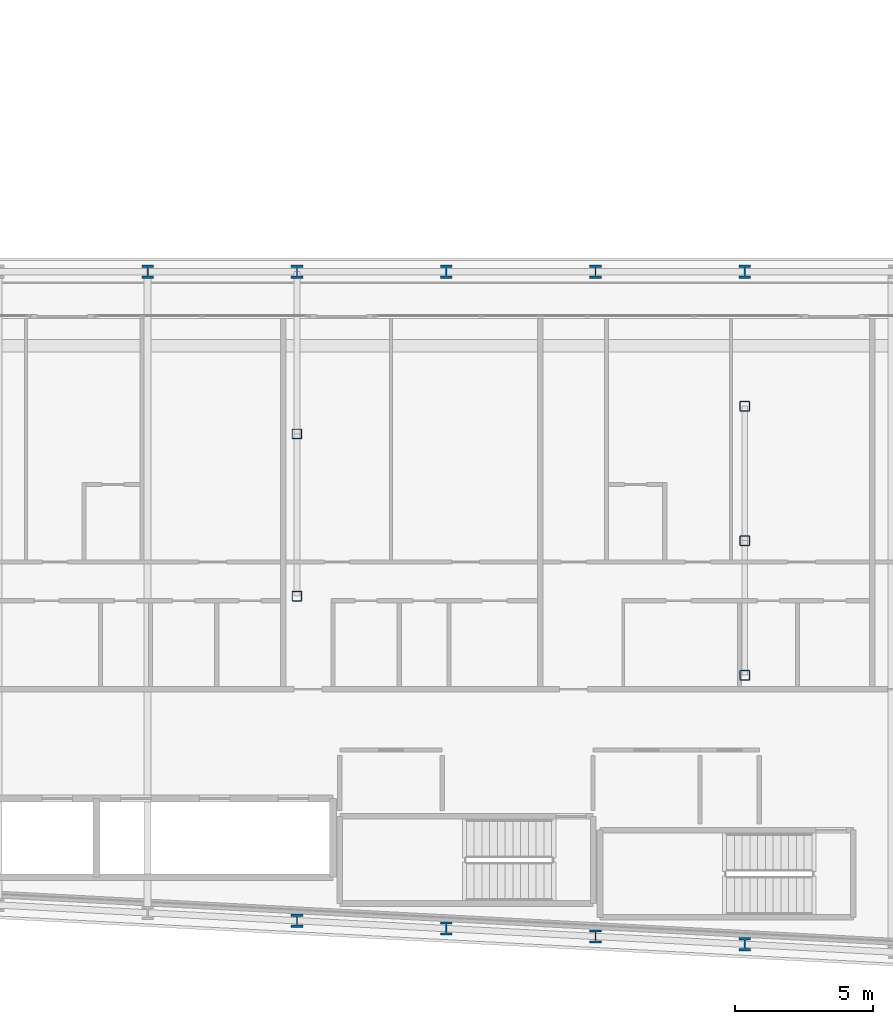
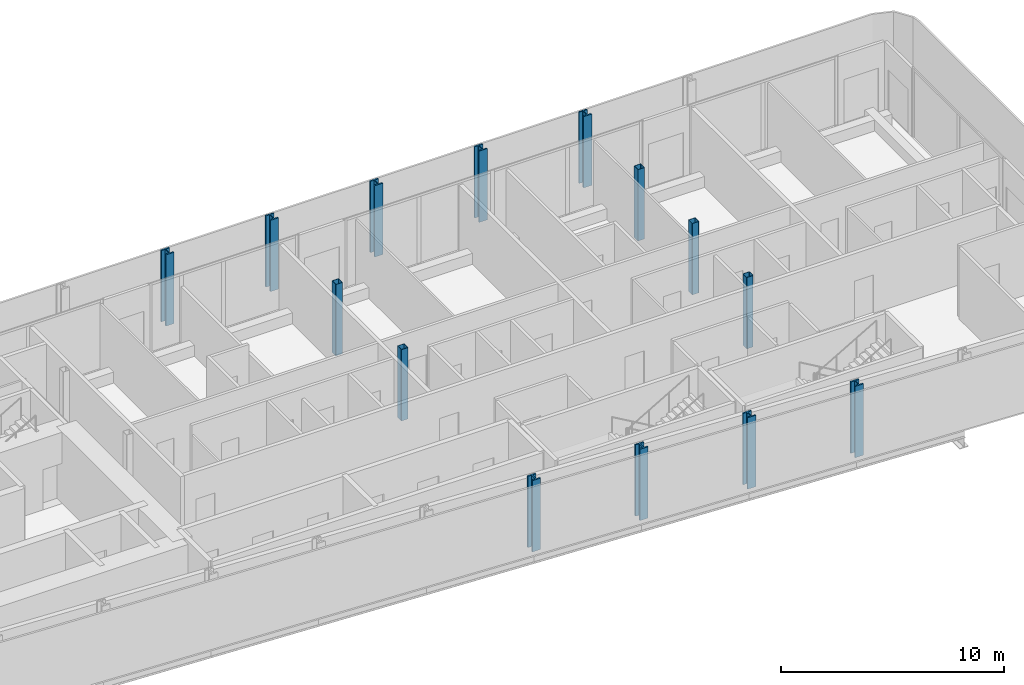
# One storey, part 2 of 27: 14 columns.
"""IFC4 building model written with IfcOpenShell, lengths in metres."""

from ifc_helpers import new_model, si_unit, direction, frame, origin, origin_2d, place, context, subcontext, project, spatial, hollow_rectangle, i_section, extrude, material, material_profile, profile_set, type_object, element, save


model = new_model("IFC4")

# Units and contexts
model_context = context("Model", 3, precision=1e-05, world=origin(), true_north=direction((0.0, 1.0)))
body_context = subcontext(model_context, "Body", "Model", "MODEL_VIEW")
ifc_project = project(units=[si_unit("LENGTHUNIT", "METRE"), si_unit("AREAUNIT", "SQUARE_METRE"), si_unit("VOLUMEUNIT", "CUBIC_METRE"), si_unit("PLANEANGLEUNIT", "RADIAN"), si_unit("MASSUNIT", "GRAM", prefix="KILO")], contexts=[model_context])

# Site, building, storey
site_placement = place(None, origin())
site = spatial("IfcSite", under=ifc_project, at=site_placement, CompositionType="ELEMENT")
building_placement = place(site_placement, origin())
building = spatial("IfcBuilding", under=site, at=building_placement, Name="Kheshtan School and Residences Tower", CompositionType="ELEMENT")
storey_placement = place(building_placement, frame((0.0, 0.0, 57.800048828125)))
storey = spatial("IfcBuildingStorey", under=building, at=storey_placement, Name="L13", CompositionType="ELEMENT", Elevation=57.800048828125)

# Columns
ifc_material_1 = material(Name="Steel ASTM A992 Grade 50", Category="steel")
ifc_material_profile_1 = material_profile(ifc_material_1, i_section(OverallWidth=0.424072265625, OverallDepth=0.47412109375, WebThickness=0.047607421875, FlangeThickness=0.0771484375, FilletRadius=0.01416015625, at=origin_2d()), Name="W360x634")
ifc_profile_set_1 = profile_set([ifc_material_profile_1], Name="Steel ASTM A992 Grade 50")
column_type_1 = type_object("IfcColumnType", Name="Column C1 W360x634 ASTM A992 Grade 50", PredefinedType="COLUMN", material=ifc_profile_set_1)
for number, where, z_axis, x_axis, name in (
    (1, (85.39990234375, 21.27392578125, 0.0), (0.0, 0.0, 1.0), (1.0, 0.0, 0.0), "Column C008"),
    (2, (80.0, 21.55810546875, 0.0), (0.0, 0.0, 1.0), (1.0, 0.0, 0.0), "Column C012"),
    (3, (74.60009765625, 21.843017578125, 0.0), (0.0, 0.0, 1.0), (1.0, 0.0, 0.0), "Column C013"),
    (4, (69.199951171875, 22.126953125, 0.0), (0.0, 0.0, 1.0), (1.0, 0.0, 0.0), "Column C014"),
    (5, (63.800048828125, 45.60009765625, 0.0), (0.0, 0.0, 1.0), (1.0, 0.0, 0.0), "Column C063"),
    (6, (69.199951171875, 45.60009765625, 0.0), (0.0, 0.0, 1.0), (1.0, 0.0, 0.0), "Column C064"),
    (7, (74.60009765625, 45.60009765625, 0.0), (0.0, 0.0, 1.0), (1.0, 0.0, 0.0), "Column C065"),
    (8, (80.0, 45.60009765625, 0.0), (0.0, 0.0, 1.0), (1.0, 0.0, 0.0), "Column C066"),
    (9, (85.39990234375, 45.60009765625, 0.0), (0.0, 0.0, 1.0), (1.0, 0.0, 0.0), "Column C067"),
):
    element("IfcColumn", number, at=place(storey_placement, frame(where, z_axis=z_axis, x_axis=x_axis)), inside=storey, type_object=column_type_1, Name=name, PredefinedType="COLUMN", context=body_context, shape_type="SweptSolid", body=[
        extrude(i_section(OverallWidth=0.424072265625, OverallDepth=0.47412109375, WebThickness=0.047607421875, FlangeThickness=0.0771484375, FilletRadius=0.01416015625, at=origin_2d()), origin(), (0.0, 0.0, 1.0), 3.89990234375),
    ])
ifc_material_2 = material(Name="Steel ASTM A500 Grade C", Category="steel")
ifc_material_profile_2 = material_profile(ifc_material_2, hollow_rectangle(XDim=0.35595703125, YDim=0.35595703125, WallThickness=0.015869140625, InnerFilletRadius=0.015869140625, OuterFilletRadius=0.03173828125, at=origin_2d()), Name="HSS 356x356x15.9")
ifc_profile_set_2 = profile_set([ifc_material_profile_2], Name="Steel ASTM A500 Grade C")
column_type_2 = type_object("IfcColumnType", Name="Column IC1 HSS 356x356x15.9 ASTM A500 Grade C", PredefinedType="COLUMN", material=ifc_profile_set_2)
for number, where, z_axis, x_axis, name in (
    (10, (85.39990234375, 31.0048828125, 0.0), (0.0, 0.0, 1.0), (1.0, 0.0, 0.0), "Column C049"),
    (11, (69.199951171875, 33.863037109375, 0.0), (0.0, 0.0, 1.0), (1.0, 0.0, 0.0), "Column C050"),
    (12, (85.39990234375, 35.8701171875, 0.0), (0.0, 0.0, 1.0), (1.0, 0.0, 0.0), "Column C053"),
    (13, (69.199951171875, 39.73193359375, 0.0), (0.0, 0.0, 1.0), (1.0, 0.0, 0.0), "Column C054"),
    (14, (85.39990234375, 40.735107421875, 0.0), (0.0, 0.0, 1.0), (1.0, 0.0, 0.0), "Column C057"),
):
    element("IfcColumn", number, at=place(storey_placement, frame(where, z_axis=z_axis, x_axis=x_axis)), inside=storey, type_object=column_type_2, Name=name, PredefinedType="COLUMN", context=body_context, shape_type="SweptSolid", body=[
        extrude(hollow_rectangle(XDim=0.35595703125, YDim=0.35595703125, WallThickness=0.015869140625, InnerFilletRadius=0.015869140625, OuterFilletRadius=0.03173828125, at=origin_2d()), origin(), (0.0, 0.0, 1.0), 3.89990234375),
    ])

save(model, "model.ifc")
